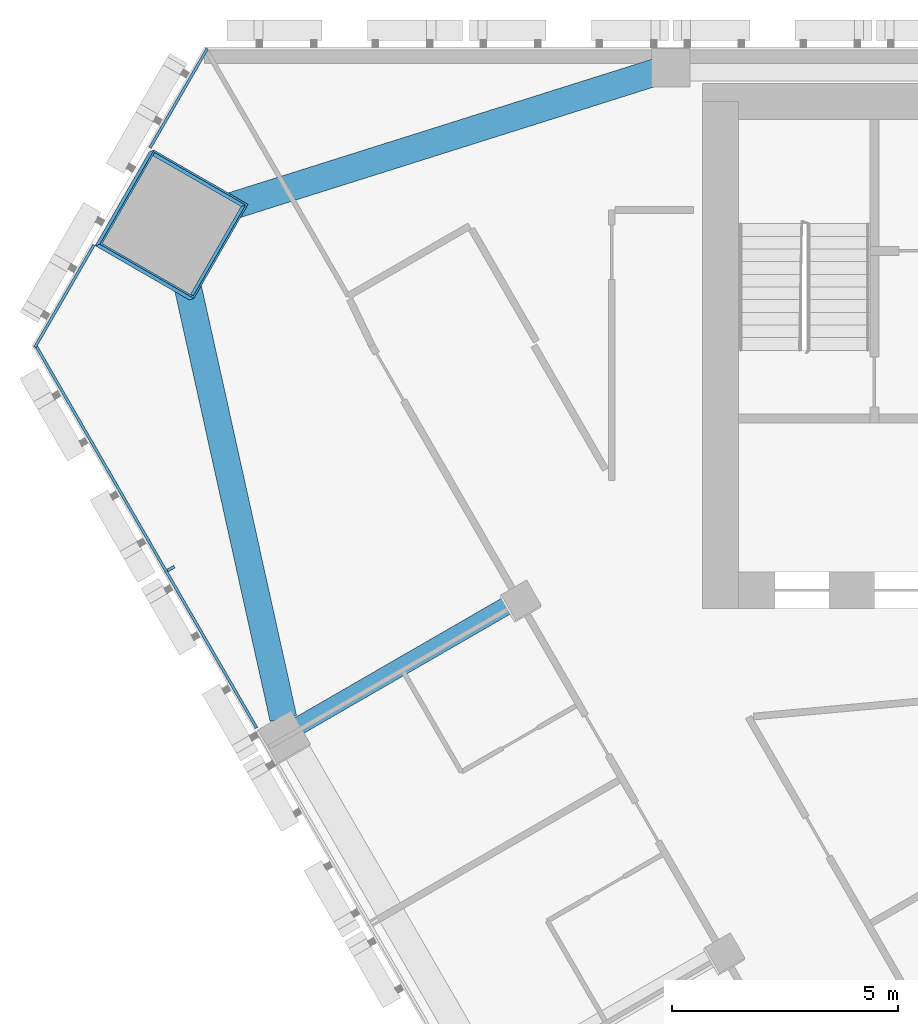
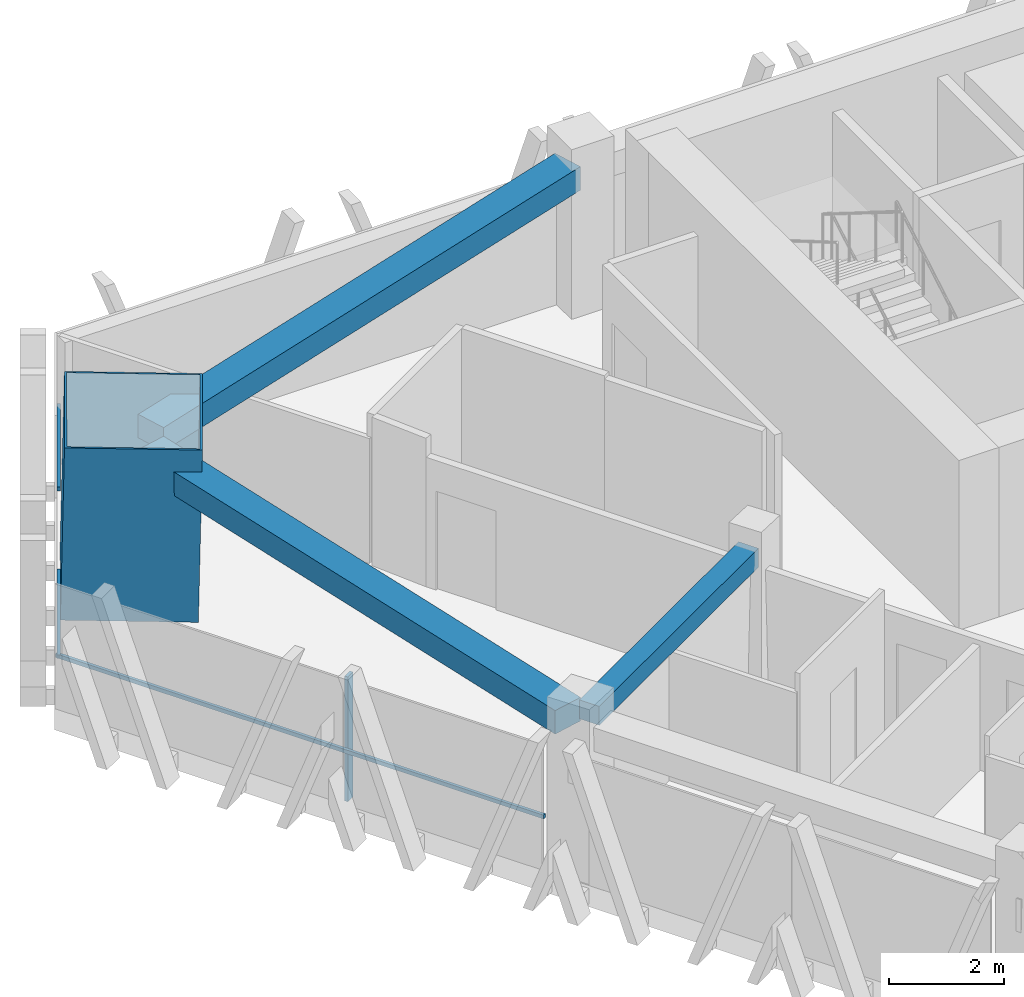
# One storey, part 5 of 16: 5 members, 3 beams, 2 elements without a shape of their own.
"""IFC4 building model written with IfcOpenShell, lengths in metres."""

from ifc_helpers import new_model, si_unit, direction, frame, origin, origin_2d, place, context, subcontext, project, spatial, rectangle, hollow_rectangle, extrude, material, layer, layer_set, material_profile, profile_set, type_object, element, aggregate, save


model = new_model("IFC4")

# Units and contexts
model_context = context("Model", 3, precision=1e-05, world=origin(), true_north=direction((0.0, 1.0)))
body_context = subcontext(model_context, "Body", "Model", "MODEL_VIEW")
ifc_project = project(units=[si_unit("LENGTHUNIT", "METRE"), si_unit("AREAUNIT", "SQUARE_METRE"), si_unit("VOLUMEUNIT", "CUBIC_METRE"), si_unit("PLANEANGLEUNIT", "RADIAN"), si_unit("MASSUNIT", "GRAM", prefix="KILO")], contexts=[model_context])

# Site, building, storey
site_placement = place(None, origin())
site = spatial("IfcSite", under=ifc_project, at=site_placement, CompositionType="ELEMENT")
building_placement = place(site_placement, origin())
building = spatial("IfcBuilding", under=site, at=building_placement, Name="Altiplano Prism Tower", CompositionType="ELEMENT")
storey_placement = place(building_placement, frame((0.0, 0.0, 138.60009765625)))
storey = spatial("IfcBuildingStorey", under=building, at=storey_placement, Name="L35", CompositionType="ELEMENT", Elevation=138.60009765625)

# Curtain wall, member
ifc_material_1 = material(Name="Aluminium and glass", Category="aluminium")
ifc_layer = layer(ifc_material_1, 0.280029296875)
ifc_layer_set = layer_set([ifc_layer], Name="Aluminium and glass")
curtain_wall_type = type_object("IfcCurtainWallType", Name="CW1 typical co-living unitised curtain wall", PredefinedType="NOTDEFINED", material=ifc_layer_set)
curtain_wall_1_placement = place(storey_placement, origin())
curtain_wall_1 = element("IfcCurtainWall", 1, at=curtain_wall_1_placement, inside=storey, type_object=curtain_wall_type, Name="CW1 curtain wall south-west face L35", PredefinedType="NOTDEFINED")
ifc_material_2 = material(Name="Aluminium", Category="aluminium")
ifc_material_profile_1 = material_profile(ifc_material_2, rectangle(XDim=0.179931640625, YDim=0.06494140625, at=origin_2d()), Name="CW1 mullion 65 x 180")
ifc_profile_set_1 = profile_set([ifc_material_profile_1], Name="Aluminium")
member_type_1 = type_object("IfcMemberType", Name="CW1 mullion 65 x 180", PredefinedType="MULLION", material=ifc_profile_set_1)
member_1_placement = place(storey_placement, frame((60.457763671875, 93.478271484375, 0.0), z_axis=(0.0, 0.0, 1.0), x_axis=(0.866025409553, 0.499999990009, 0.0)))
member_1 = element("IfcMember", 2, at=member_1_placement, type_object=member_type_1, Name="CW1 mullion", PredefinedType="MULLION", context=body_context, shape_type="SweptSolid", body=[
    extrude(rectangle(XDim=0.179931640625, YDim=0.06494140625, at=origin_2d()), origin(), (0.0, 0.0, 1.0), 2.64990234375),
])

# Curtain wall, members
curtain_wall_2_placement = place(storey_placement, origin())
curtain_wall_2 = element("IfcCurtainWall", 3, at=curtain_wall_2_placement, inside=storey, type_object=curtain_wall_type, Name="CW1 curtain wall north-west chamfer L35", PredefinedType="NOTDEFINED")
ifc_material_profile_2 = material_profile(ifc_material_2, rectangle(XDim=0.06005859375, YDim=0.080078125, at=origin_2d()), Name="CW1 transom 80 x 60")
ifc_profile_set_2 = profile_set([ifc_material_profile_2], Name="Aluminium")
member_type_2 = type_object("IfcMemberType", Name="CW1 transom 80 x 60", PredefinedType="USERDEFINED", material=ifc_profile_set_2)
member_2_placement = place(storey_placement, frame((61.2607421875, 104.965087890625, 1.099853515625), z_axis=(-0.499973348067, -0.866040790738, 0.0), x_axis=(0.866040790738, -0.499973348067, 0.0)))
member_2 = element("IfcMember", 4, at=member_2_placement, type_object=member_type_2, Name="CW1 transom", ObjectType="TRANSOM", PredefinedType="USERDEFINED", context=body_context, shape_type="SweptSolid", body=[
    extrude(rectangle(XDim=0.06005859375, YDim=0.080078125, at=origin_2d()), origin(), (0.0, 0.0, 1.0), 2.527099609375),
])
member_3_placement = place(storey_placement, frame((58.75732421875, 100.62890625, 1.099853515625), z_axis=(-0.499976450906, -0.866038999434, 0.0), x_axis=(0.866038999434, -0.499976450906, 0.0)))
member_3 = element("IfcMember", 5, at=member_3_placement, type_object=member_type_2, Name="CW1 transom", ObjectType="TRANSOM", PredefinedType="USERDEFINED", context=body_context, shape_type="SweptSolid", body=[
    extrude(rectangle(XDim=0.06005859375, YDim=0.080078125, at=origin_2d()), origin(), (0.0, 0.0, 1.0), 2.607177734375),
])
aggregate(curtain_wall_2, [member_2, member_3])

# Member
member_4_placement = place(storey_placement, frame((57.453857421875, 98.441162109375, 1.099853515625), z_axis=(0.500007244493, -0.866021221134, 0.0), x_axis=(0.866021221134, 0.500007244493, 0.0)))
member_4 = element("IfcMember", 6, at=member_4_placement, type_object=member_type_2, Name="CW1 transom", ObjectType="TRANSOM", PredefinedType="USERDEFINED", context=body_context, shape_type="SweptSolid", body=[
    extrude(rectangle(XDim=0.06005859375, YDim=0.080078125, at=origin_2d()), origin(), (0.0, 0.0, 1.0), 9.795166015625),
])

aggregate(curtain_wall_1, [member_1, member_4])

# Beams
ifc_material_3 = material(Name="Concrete C60/75", Category="concrete")
ifc_material_profile_3 = material_profile(ifc_material_3, rectangle(XDim=0.60009765625, YDim=0.5, at=origin_2d()), Name="Edge beam 600x500")
ifc_profile_set_3 = profile_set([ifc_material_profile_3], Name="Concrete C60/75")
beam_type_1 = type_object("IfcBeamType", Name="Edge beam 600x500", PredefinedType="SPANDREL", material=ifc_profile_set_3)
for number, where, z_axis, x_axis, name in (
    (7, (71.189453125, 104.451904296875, 2.89990234375), (-0.953644524487, -0.300935409874, 0.0), (0.300935409874, -0.953644524487, 0.0), "Edge beam P04-M0 L36"),
    (8, (60.6220703125, 100.64697265625, 2.89990234375), (0.216183770385, -0.976352691102, 0.0), (0.976352691102, 0.216183770385, 0.0), "Edge beam M0-P11 L36"),
):
    element("IfcBeam", number, at=place(storey_placement, frame(where, z_axis=z_axis, x_axis=x_axis)), inside=storey, type_object=beam_type_1, Name=name, PredefinedType="SPANDREL", context=body_context, shape_type="SweptSolid", body=[
        extrude(rectangle(XDim=0.60009765625, YDim=0.5, at=origin_2d()), origin(), (0.0, 0.0, 1.0), 10.733154296875),
    ])

# Member
ifc_material_4 = material(Name="Steel S460", Category="steel")
ifc_material_profile_4 = material_profile(ifc_material_4, hollow_rectangle(XDim=2.39990234375, YDim=2.39990234375, WallThickness=0.0400390625, at=origin_2d()), Name="Mega column tube 2400")
ifc_profile_set_4 = profile_set([ifc_material_profile_4], Name="Steel S460")
member_type_3 = type_object("IfcMemberType", Name="Mega column tube 2400", PredefinedType="POST", material=ifc_profile_set_4)
member_5_placement = place(storey_placement, frame((60.422607421875, 101.052978515625, 0.0), z_axis=(0.028403721265, 0.009287135593, 0.999553389135), x_axis=(-0.866201877506, 0.49929479911, 0.019975259356)))
element("IfcMember", 9, at=member_5_placement, inside=storey, type_object=member_type_3, Name="Mega column tube M0 L35", PredefinedType="POST", context=body_context, shape_type="SweptSolid", body=[
    extrude(hollow_rectangle(XDim=2.39990234375, YDim=2.39990234375, WallThickness=0.0400390625, at=origin_2d()), origin(), (0.0, 0.0, 1.0), 3.6015625),
])

# Beam
ifc_material_profile_5 = material_profile(ifc_material_3, rectangle(XDim=0.39990234375, YDim=0.39990234375, at=origin_2d()), Name="Tie beam 400x400")
ifc_profile_set_5 = profile_set([ifc_material_profile_5], Name="Concrete C60/75")
beam_type_2 = type_object("IfcBeamType", Name="Tie beam 400x400", PredefinedType="BEAM", material=ifc_profile_set_5)
beam_placement = place(storey_placement, frame((68.07470703125, 92.772216796875, 2.949951171875), z_axis=(-0.866016055733, -0.50001619095, 0.0), x_axis=(0.50001619095, -0.866016055733, 0.0)))
element("IfcBeam", 10, at=beam_placement, inside=storey, type_object=beam_type_2, Name="Tie beam I11 L36", PredefinedType="BEAM", context=body_context, shape_type="SweptSolid", body=[
    extrude(rectangle(XDim=0.39990234375, YDim=0.39990234375, at=origin_2d()), origin(), (0.0, 0.0, 1.0), 5.539794921875),
])

save(model, "model.ifc")
